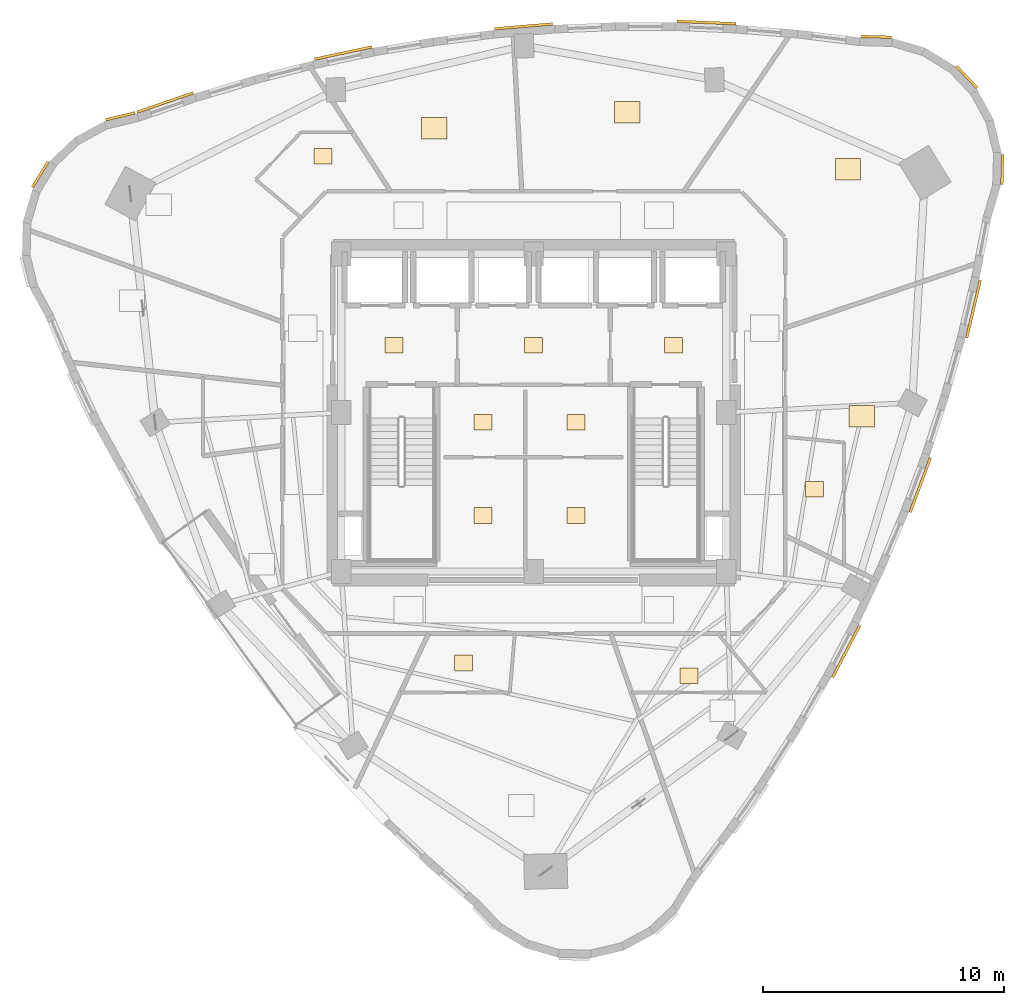
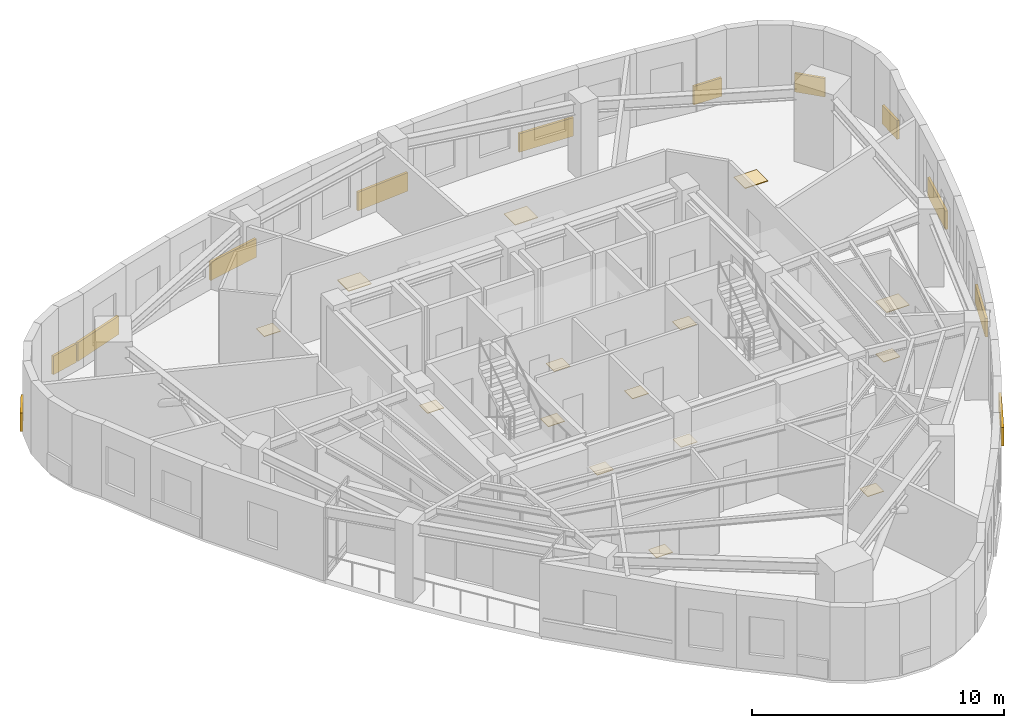
# One storey, part 13 of 13: 27 coverings.
"""IFC4 building model written with IfcOpenShell, lengths in metres."""

from ifc_helpers import new_model, si_unit, direction, frame, origin, origin_2d, place, context, subcontext, project, spatial, rectangle, extrude, material, layer, layer_set, type_object, element, save


model = new_model("IFC4")

# Units and contexts
model_context = context("Model", 3, precision=1e-05, world=origin(), true_north=direction((0.0, 1.0)))
body_context = subcontext(model_context, "Body", "Model", "MODEL_VIEW")
ifc_project = project(units=[si_unit("LENGTHUNIT", "METRE"), si_unit("AREAUNIT", "SQUARE_METRE"), si_unit("VOLUMEUNIT", "CUBIC_METRE"), si_unit("PLANEANGLEUNIT", "RADIAN"), si_unit("MASSUNIT", "GRAM", prefix="KILO")], contexts=[model_context])

# Site, building, storey
site_placement = place(None, origin())
site = spatial("IfcSite", under=ifc_project, at=site_placement, CompositionType="ELEMENT")
building_placement = place(site_placement, origin())
building = spatial("IfcBuilding", under=site, at=building_placement, Name="Ndelora Gate Hotel", CompositionType="ELEMENT")
storey_placement = place(building_placement, frame((0.0, 0.0, 235.949951171875)))
storey = spatial("IfcBuildingStorey", under=building, at=storey_placement, Name="L59", CompositionType="ELEMENT", Elevation=235.949951171875)

# Coverings
ifc_material_1 = material(Name="Terracotta Fired Clay Brick Slip Cladding", Category="masonry")
ifc_layer_1 = layer(ifc_material_1, 0.110107421875)
ifc_layer_set_1 = layer_set([ifc_layer_1], Name="Terracotta Fired Clay Brick Slip Cladding")
covering_type_1 = type_object("IfcCoveringType", Name="COV-CLAD-BRK", PredefinedType="CLADDING", material=ifc_layer_set_1)
for number, where, z_axis, x_axis, name in (
    (1, (-17.176025390625, 12.314208984375, 0.10009765625), (0.0, 0.0, 1.0), (0.972369920398, 0.233445363856, 0.0), "L59 Rounded-Corner Brick Cladding Band 1"),
    (2, (-20.503662109375, 9.896728515625, 0.10009765625), (0.0, 0.0, 1.0), (0.522498564716, 0.852640164354, 0.0), "L59 Rounded-Corner Brick Cladding Band 4"),
):
    element("IfcCovering", number, at=place(storey_placement, frame(where, z_axis=z_axis, x_axis=x_axis)), inside=storey, type_object=covering_type_1, Name=name, PredefinedType="CLADDING", context=body_context, shape_type="SweptSolid", body=[
        extrude(rectangle(XDim=1.257080078125, YDim=0.110107421875, at=origin_2d()), origin(), (0.0, 0.0, 1.0), 0.89990234375),
    ])
covering_1_placement = place(storey_placement, frame((12.9853515625, -9.9267578125, 0.10009765625), z_axis=(0.0, 0.0, 1.0), x_axis=(0.46329603512, 0.886203579231, 0.0)))
element("IfcCovering", 3, at=covering_1_placement, inside=storey, type_object=covering_type_1, Name="L59 Rounded-Corner Brick Cladding Band 31", PredefinedType="CLADDING", context=body_context, shape_type="SweptSolid", body=[
    extrude(rectangle(XDim=2.4208984375, YDim=0.110107421875, at=origin_2d()), origin(), (0.0, 0.0, 1.0), 0.89990234375),
])
covering_2_placement = place(storey_placement, frame((16.06591796875, -3.007568359375, 0.10009765625), z_axis=(0.0, 0.0, 1.0), x_axis=(0.348572047322, 0.937281989492, 0.0)))
element("IfcCovering", 4, at=covering_2_placement, inside=storey, type_object=covering_type_1, Name="L59 Rounded-Corner Brick Cladding Band 34", PredefinedType="CLADDING", context=body_context, shape_type="SweptSolid", body=[
    extrude(rectangle(XDim=2.419921875, YDim=0.110107421875, at=origin_2d()), origin(), (0.0, 0.0, 1.0), 0.89990234375),
])
covering_3_placement = place(storey_placement, frame((18.275390625, 4.298828125, 0.10009765625), z_axis=(0.0, 0.0, 1.0), x_axis=(0.230219585439, 0.973138706701, 0.0)))
element("IfcCovering", 5, at=covering_3_placement, inside=storey, type_object=covering_type_1, Name="L59 Rounded-Corner Brick Cladding Band 37", PredefinedType="CLADDING", context=body_context, shape_type="SweptSolid", body=[
    extrude(rectangle(XDim=2.4599609375, YDim=0.110107421875, at=origin_2d()), origin(), (0.0, 0.0, 1.0), 0.89990234375),
])
for number, where, z_axis, x_axis, name in (
    (6, (19.471923828125, 10.103515625, 0.10009765625), (0.0, 0.0, 1.0), (0.026176948308, 0.999657324976, 0.0), "L59 Rounded-Corner Brick Cladding Band 40"),
    (7, (17.997802734375, 13.943359375, 0.10009765625), (0.0, 0.0, 1.0), (-0.688354575694, 0.725374371012, 0.0), "L59 Rounded-Corner Brick Cladding Band 43"),
    (8, (14.240478515625, 15.6162109375, 0.10009765625), (0.0, 0.0, 1.0), (-0.999657324976, 0.026176948308, 0.0), "L59 Rounded-Corner Brick Cladding Band 46"),
):
    element("IfcCovering", number, at=place(storey_placement, frame(where, z_axis=z_axis, x_axis=x_axis)), inside=storey, type_object=covering_type_1, Name=name, PredefinedType="CLADDING", context=body_context, shape_type="SweptSolid", body=[
        extrude(rectangle(XDim=1.257080078125, YDim=0.110107421875, at=origin_2d()), origin(), (0.0, 0.0, 1.0), 0.89990234375),
    ])
covering_4_placement = place(storey_placement, frame((7.18115234375, 16.2099609375, 0.10009765625), z_axis=(0.0, 0.0, 1.0), x_axis=(-0.999151821338, 0.04117812426, 0.0)))
element("IfcCovering", 9, at=covering_4_placement, inside=storey, type_object=covering_type_1, Name="L59 Rounded-Corner Brick Cladding Band 49", PredefinedType="CLADDING", context=body_context, shape_type="SweptSolid", body=[
    extrude(rectangle(XDim=2.443115234375, YDim=0.110107421875, at=origin_2d()), origin(), (0.0, 0.0, 1.0), 0.89990234375),
])
covering_5_placement = place(storey_placement, frame((-0.417724609375, 16.050537109375, 0.10009765625), z_axis=(0.0, 0.0, 1.0), x_axis=(0.99649285925, 0.083677843332, 0.0)))
element("IfcCovering", 10, at=covering_5_placement, inside=storey, type_object=covering_type_1, Name="L59 Rounded-Corner Brick Cladding Band 52", PredefinedType="CLADDING", context=body_context, shape_type="SweptSolid", body=[
    extrude(rectangle(XDim=2.416015625, YDim=0.110107421875, at=origin_2d()), origin(), (0.0, 0.0, 1.0), 0.89990234375),
])
covering_6_placement = place(storey_placement, frame((-7.9169921875, 14.942626953125, 0.10009765625), z_axis=(0.0, 0.0, 1.0), x_axis=(0.978183873271, 0.20774096869, 0.0)))
element("IfcCovering", 11, at=covering_6_placement, inside=storey, type_object=covering_type_1, Name="L59 Rounded-Corner Brick Cladding Band 55", PredefinedType="CLADDING", context=body_context, shape_type="SweptSolid", body=[
    extrude(rectangle(XDim=2.428955078125, YDim=0.110107421875, at=origin_2d()), origin(), (0.0, 0.0, 1.0), 0.89990234375),
])
covering_7_placement = place(storey_placement, frame((-15.315673828125, 12.886962890625, 0.10009765625), z_axis=(0.0, 0.0, 1.0), x_axis=(0.945518575599, 0.325568154457, 0.0)))
element("IfcCovering", 12, at=covering_7_placement, inside=storey, type_object=covering_type_1, Name="L59 Rounded-Corner Brick Cladding Band 58", PredefinedType="CLADDING", context=body_context, shape_type="SweptSolid", body=[
    extrude(rectangle(XDim=2.48193359375, YDim=0.110107421875, at=origin_2d()), origin(), (0.0, 0.0, 1.0), 0.89990234375),
])
ifc_material_2 = material(Name="Engineered Highland Oak Parquet", Category="wood")
ifc_layer_2 = layer(ifc_material_2, 0.030029296875)
ifc_layer_set_2 = layer_set([ifc_layer_2], Name="Engineered Highland Oak Parquet")
covering_type_2 = type_object("IfcCoveringType", Name="COV-FLR-PARQ", PredefinedType="FLOORING", material=ifc_layer_set_2)
for number, where, z_axis, x_axis, name in (
    (13, (13.634033203125, -0.152099609375, 0.0), (0.0, 0.0, 1.0), (1.0, 0.0, 0.0), "L59 Grand Highland Diplomatic Suite 6203 Oak Parquet Flooring"),
    (14, (13.058349609375, 10.110107421875, 0.0), (0.0, 0.0, 1.0), (1.0, 0.0, 0.0), "L59 Highland Reading Library Oak Parquet Flooring"),
    (15, (3.888671875, 12.480712890625, 0.0), (0.0, 0.0, 1.0), (1.0, 0.0, 0.0), "L59 Altitude Fitness Gym Oak Parquet Flooring"),
    (16, (-4.13720703125, 11.8134765625, 0.0), (0.0, 0.0, 1.0), (1.0, 0.0, 0.0), "L59 Chef Service Kitchen Oak Parquet Flooring"),
):
    element("IfcCovering", number, at=place(storey_placement, frame(where, z_axis=z_axis, x_axis=x_axis)), inside=storey, type_object=covering_type_2, Name=name, PredefinedType="FLOORING", context=body_context, shape_type="SweptSolid", body=[
        extrude(rectangle(XDim=1.050048828125, YDim=0.89990234375, at=origin_2d()), origin(), (0.0, 0.0, 1.0), 0.030029296875),
    ])
ifc_material_3 = material(Name="Non-Slip Porcelain Wet-Room Tile", Category="ceramic")
ifc_layer_3 = layer(ifc_material_3, 0.02490234375)
ifc_layer_set_3 = layer_set([ifc_layer_3], Name="Non-Slip Porcelain Wet-Room Tile")
covering_type_3 = type_object("IfcCoveringType", Name="COV-FLR-TILE", PredefinedType="FLOORING", material=ifc_layer_set_3)
for number, where, z_axis, x_axis, name in (
    (17, (-5.800048828125, 2.800048828125, 0.0), (0.0, 0.0, 1.0), (1.0, 0.0, 0.0), "L59 Firefighting Lift Lobby West Porcelain Tile Flooring"),
    (18, (5.800048828125, 2.800048828125, 0.0), (0.0, 0.0, 1.0), (1.0, 0.0, 0.0), "L59 Firefighting Lift Lobby East Porcelain Tile Flooring"),
    (19, (0.0, 2.800048828125, 0.0), (0.0, 0.0, 1.0), (1.0, 0.0, 0.0), "L59 Central Passenger Lift Lobby Porcelain Tile Flooring"),
    (20, (-2.10009765625, -0.39990234375, 0.0), (0.0, 0.0, 1.0), (1.0, 0.0, 0.0), "L59 Core Electrical Closet Porcelain Tile Flooring"),
    (21, (1.75, -0.39990234375, 0.0), (0.0, 0.0, 1.0), (1.0, 0.0, 0.0), "L59 Comms Patching Store Porcelain Tile Flooring"),
    (22, (-2.10009765625, -4.27490234375, 0.0), (0.0, 0.0, 1.0), (1.0, 0.0, 0.0), "L59 Valet Laundry Store Porcelain Tile Flooring"),
    (23, (1.75, -4.27490234375, 0.0), (0.0, 0.0, 1.0), (1.0, 0.0, 0.0), "L59 Housekeeping Reserve Store Porcelain Tile Flooring"),
    (24, (-2.918701171875, -10.405029296875, 0.0), (0.0, 0.0, 1.0), (1.0, 0.0, 0.0), "L59 En-suite Bathroom 6201 Porcelain Tile Flooring"),
    (25, (6.458251953125, -10.934326171875, 0.0), (0.0, 0.0, 1.0), (1.0, 0.0, 0.0), "L59 En-suite Bathroom 6202 Porcelain Tile Flooring"),
    (26, (11.675048828125, -3.184326171875, 0.0), (0.0, 0.0, 1.0), (1.0, 0.0, 0.0), "L59 En-suite Bathroom 6203 Porcelain Tile Flooring"),
    (27, (-8.75244140625, 10.646484375, 0.0), (0.0, 0.0, 1.0), (1.0, 0.0, 0.0), "L59 En-suite Bathroom 6204 Porcelain Tile Flooring"),
):
    element("IfcCovering", number, at=place(storey_placement, frame(where, z_axis=z_axis, x_axis=x_axis)), inside=storey, type_object=covering_type_3, Name=name, PredefinedType="FLOORING", context=body_context, shape_type="SweptSolid", body=[
        extrude(rectangle(XDim=0.75, YDim=0.64990234375, at=origin_2d()), origin(), (0.0, 0.0, 1.0), 0.02490234375),
    ])

save(model, "model.ifc")
